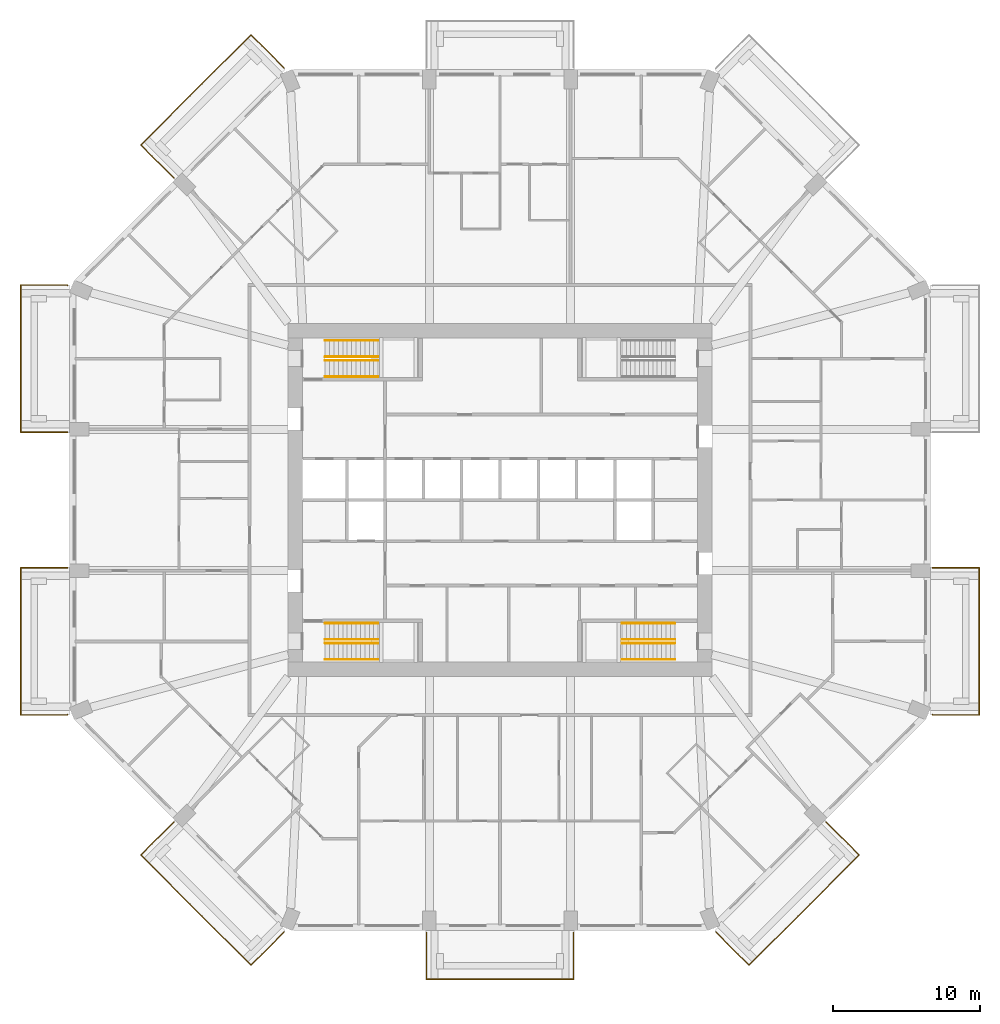
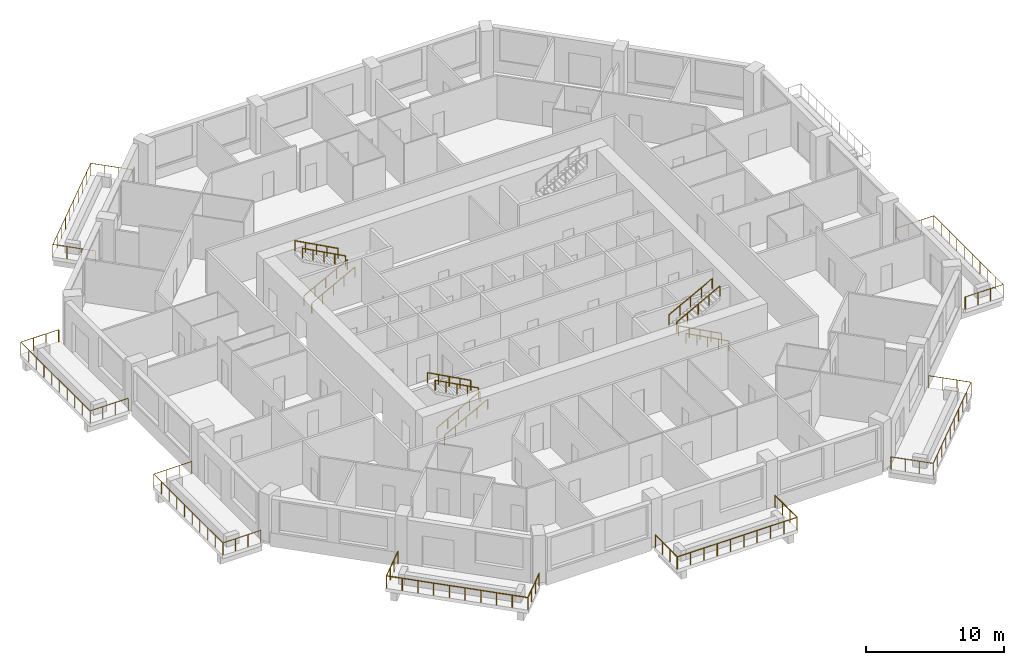
# One storey, part 12 of 13: 19 railings.
"""IFC4 building model written with IfcOpenShell, lengths in metres."""

from ifc_helpers import new_model, si_unit, direction, frame, origin, origin_2d, place, context, subcontext, project, spatial, circle, extrude, material, constituent, constituent_set, type_object, element, save


model = new_model("IFC4")

# Units and contexts
model_context = context("Model", 3, precision=1e-05, world=origin(), true_north=direction((0.0, 1.0)))
body_context = subcontext(model_context, "Body", "Model", "MODEL_VIEW")
ifc_project = project(units=[si_unit("LENGTHUNIT", "METRE"), si_unit("AREAUNIT", "SQUARE_METRE"), si_unit("VOLUMEUNIT", "CUBIC_METRE"), si_unit("PLANEANGLEUNIT", "RADIAN"), si_unit("MASSUNIT", "GRAM", prefix="KILO")], contexts=[model_context])

# Site, building, storey
site_placement = place(None, origin())
site = spatial("IfcSite", under=ifc_project, at=site_placement, CompositionType="ELEMENT")
building_placement = place(site_placement, origin())
building = spatial("IfcBuilding", under=site, at=building_placement, Name="Msitu Wima Residences", CompositionType="ELEMENT")
storey_placement = place(building_placement, frame((0.0, 0.0, 96.89990234375)))
storey = spatial("IfcBuildingStorey", under=building, at=storey_placement, Name="L22", CompositionType="ELEMENT", Elevation=96.89990234375)

# Railings
ifc_material_1 = material(Name="Steel S355", Category="steel")
ifc_constituent_1 = constituent(ifc_material_1, Name="Steel S355")
ifc_material_2 = material(Name="Weathering patina")
ifc_constituent_2 = constituent(ifc_material_2, Name="Weathering patina")
ifc_constituent_set_1 = constituent_set(constituents=[ifc_constituent_1, ifc_constituent_2], Name="Steel S355")
railing_type_1 = type_object("IfcRailingType", Name="Balcony guard GR1100", PredefinedType="GUARDRAIL", material=ifc_constituent_set_1)
railing_1_placement = place(storey_placement, frame((29.3798828125, -4.60009765625, 0.0)))
element("IfcRailing", 1, at=railing_1_placement, inside=storey, type_object=railing_type_1, Name="Balcony guard E0 L22", PredefinedType="GUARDRAIL", context=body_context, shape_type="SweptSolid", body=[
    extrude(circle(Radius=0.02392578125, at=origin_2d()), frame((0.0, 0.0, 1.076171875), z_axis=(1.0, 0.0, 0.0), x_axis=(0.0, 1.0, 0.0)), (0.0, 0.0, 1.0), 3.170166015625),
    extrude(circle(Radius=0.02392578125, at=origin_2d()), frame((3.170166015625, 0.0, 1.076171875), z_axis=(0.0, -1.0, 0.0), x_axis=(1.0, 0.0, 0.0)), (0.0, 0.0, 1.0), 10.0),
    extrude(circle(Radius=0.02392578125, at=origin_2d()), frame((3.170166015625, -10.0, 1.076171875), z_axis=(-1.0, 0.0, 0.0), x_axis=(0.0, -1.0, 0.0)), (0.0, 0.0, 1.0), 3.136474609375),
    extrude(circle(Radius=0.02392578125, at=origin_2d()), frame((0.03369140625, -10.0, 1.076171875), z_axis=(-0.92426142649, 0.38176015442, 0.0), x_axis=(-0.38176015442, -0.92426142649, 0.0)), (0.0, 0.0, 1.0), 0.036376953125),
    extrude(circle(Radius=0.02099609375, at=origin_2d()), origin(), (0.0, 0.0, 1.0), 1.052001953125),
    extrude(circle(Radius=0.02099609375, at=origin_2d()), frame((1.056640625, 0.0, 0.0)), (0.0, 0.0, 1.0), 1.052001953125),
    extrude(circle(Radius=0.02099609375, at=origin_2d()), frame((2.113525390625, 0.0, 0.0)), (0.0, 0.0, 1.0), 1.052001953125),
    extrude(circle(Radius=0.02099609375, at=origin_2d()), frame((3.170166015625, 0.0, 0.0)), (0.0, 0.0, 1.0), 1.052001953125),
    extrude(circle(Radius=0.02099609375, at=origin_2d()), frame((3.170166015625, -1.111083984375, 0.0)), (0.0, 0.0, 1.0), 1.052001953125),
    extrude(circle(Radius=0.02099609375, at=origin_2d()), frame((3.170166015625, -2.22216796875, 0.0)), (0.0, 0.0, 1.0), 1.052001953125),
    extrude(circle(Radius=0.02099609375, at=origin_2d()), frame((3.170166015625, -3.333251953125, 0.0)), (0.0, 0.0, 1.0), 1.052001953125),
    extrude(circle(Radius=0.02099609375, at=origin_2d()), frame((3.170166015625, -4.4443359375, 0.0)), (0.0, 0.0, 1.0), 1.052001953125),
    extrude(circle(Radius=0.02099609375, at=origin_2d()), frame((3.170166015625, -5.5556640625, 0.0)), (0.0, 0.0, 1.0), 1.052001953125),
    extrude(circle(Radius=0.02099609375, at=origin_2d()), frame((3.170166015625, -6.666748046875, 0.0)), (0.0, 0.0, 1.0), 1.052001953125),
    extrude(circle(Radius=0.02099609375, at=origin_2d()), frame((3.170166015625, -7.77783203125, 0.0)), (0.0, 0.0, 1.0), 1.052001953125),
    extrude(circle(Radius=0.02099609375, at=origin_2d()), frame((3.170166015625, -8.888916015625, 0.0)), (0.0, 0.0, 1.0), 1.052001953125),
    extrude(circle(Radius=0.02099609375, at=origin_2d()), frame((3.170166015625, -10.0, 0.0)), (0.0, 0.0, 1.0), 1.052001953125),
    extrude(circle(Radius=0.02099609375, at=origin_2d()), frame((2.124755859375, -10.0, 0.0)), (0.0, 0.0, 1.0), 1.052001953125),
    extrude(circle(Radius=0.02099609375, at=origin_2d()), frame((1.0791015625, -10.0, 0.0)), (0.0, 0.0, 1.0), 1.052001953125),
    extrude(circle(Radius=0.02099609375, at=origin_2d()), frame((0.03369140625, -10.0, 0.0)), (0.0, 0.0, 1.0), 1.052001953125),
    extrude(circle(Radius=0.02099609375, at=origin_2d()), frame((0.0, -9.986083984375, 0.0)), (0.0, 0.0, 1.0), 1.052001953125),
])
railing_2_placement = place(storey_placement, frame((-22.151611328125, 21.86865234375, 0.0)))
element("IfcRailing", 2, at=railing_2_placement, inside=storey, type_object=railing_type_1, Name="Balcony guard NW0 L22", PredefinedType="GUARDRAIL", context=body_context, shape_type="SweptSolid", body=[
    extrude(circle(Radius=0.02392578125, at=origin_2d()), frame((0.0, 0.0, 1.076171875), z_axis=(-0.707068272989, 0.707145287287, 0.0), x_axis=(-0.707145287287, -0.707068272989, 0.0)), (0.0, 0.0, 1.0), 3.170166015625),
    extrude(circle(Radius=0.02392578125, at=origin_2d()), frame((-2.241455078125, 2.24169921875, 1.076171875), z_axis=(0.707118316465, 0.70709524572, 0.0), x_axis=(-0.70709524572, 0.707118316465, 0.0)), (0.0, 0.0, 1.0), 10.582275390625),
    extrude(circle(Radius=0.02392578125, at=origin_2d()), frame((5.241455078125, 9.724365234375, 1.076171875), z_axis=(0.707106781187, -0.707106781187, 0.0), x_axis=(0.707106781187, 0.707106781187, 0.0)), (0.0, 0.0, 1.0), 3.136474609375),
    extrude(circle(Radius=0.02392578125, at=origin_2d()), frame((7.459228515625, 7.506591796875, 1.076171875), z_axis=(0.384136806859, -0.923276184907, 0.0), x_axis=(0.923276184907, 0.384136806859, 0.0)), (0.0, 0.0, 1.0), 0.0361328125),
    extrude(circle(Radius=0.02099609375, at=origin_2d()), origin(), (0.0, 0.0, 1.0), 1.052001953125),
    extrude(circle(Radius=0.02099609375, at=origin_2d()), frame((-0.7470703125, 0.747314453125, 0.0)), (0.0, 0.0, 1.0), 1.052001953125),
    extrude(circle(Radius=0.02099609375, at=origin_2d()), frame((-1.494384765625, 1.494384765625, 0.0)), (0.0, 0.0, 1.0), 1.052001953125),
    extrude(circle(Radius=0.02099609375, at=origin_2d()), frame((-2.241455078125, 2.24169921875, 0.0)), (0.0, 0.0, 1.0), 1.052001953125),
    extrude(circle(Radius=0.02099609375, at=origin_2d()), frame((-1.409912109375, 3.072998046875, 0.0)), (0.0, 0.0, 1.0), 1.052001953125),
    extrude(circle(Radius=0.02099609375, at=origin_2d()), frame((-0.57861328125, 3.904541015625, 0.0)), (0.0, 0.0, 1.0), 1.052001953125),
    extrude(circle(Radius=0.02099609375, at=origin_2d()), frame((0.2529296875, 4.73583984375, 0.0)), (0.0, 0.0, 1.0), 1.052001953125),
    extrude(circle(Radius=0.02099609375, at=origin_2d()), frame((1.084228515625, 5.5673828125, 0.0)), (0.0, 0.0, 1.0), 1.052001953125),
    extrude(circle(Radius=0.02099609375, at=origin_2d()), frame((1.915771484375, 6.398681640625, 0.0)), (0.0, 0.0, 1.0), 1.052001953125),
    extrude(circle(Radius=0.02099609375, at=origin_2d()), frame((2.7470703125, 7.230224609375, 0.0)), (0.0, 0.0, 1.0), 1.052001953125),
    extrude(circle(Radius=0.02099609375, at=origin_2d()), frame((3.57861328125, 8.0615234375, 0.0)), (0.0, 0.0, 1.0), 1.052001953125),
    extrude(circle(Radius=0.02099609375, at=origin_2d()), frame((4.409912109375, 8.89306640625, 0.0)), (0.0, 0.0, 1.0), 1.052001953125),
    extrude(circle(Radius=0.02099609375, at=origin_2d()), frame((5.241455078125, 9.724365234375, 0.0)), (0.0, 0.0, 1.0), 1.052001953125),
    extrude(circle(Radius=0.02099609375, at=origin_2d()), frame((5.980712890625, 8.985107421875, 0.0)), (0.0, 0.0, 1.0), 1.052001953125),
    extrude(circle(Radius=0.02099609375, at=origin_2d()), frame((6.719970703125, 8.245849609375, 0.0)), (0.0, 0.0, 1.0), 1.052001953125),
    extrude(circle(Radius=0.02099609375, at=origin_2d()), frame((7.459228515625, 7.506591796875, 0.0)), (0.0, 0.0, 1.0), 1.052001953125),
    extrude(circle(Radius=0.02099609375, at=origin_2d()), frame((7.47314453125, 7.47314453125, 0.0)), (0.0, 0.0, 1.0), 1.052001953125),
])
railing_3_placement = place(storey_placement, frame((-29.3798828125, 4.60009765625, 0.0)))
element("IfcRailing", 3, at=railing_3_placement, inside=storey, type_object=railing_type_1, Name="Balcony guard W0 L22", PredefinedType="GUARDRAIL", context=body_context, shape_type="SweptSolid", body=[
    extrude(circle(Radius=0.02392578125, at=origin_2d()), frame((0.0, 0.0, 1.076171875), z_axis=(-1.0, 0.0, 0.0), x_axis=(0.0, -1.0, 0.0)), (0.0, 0.0, 1.0), 3.170166015625),
    extrude(circle(Radius=0.02392578125, at=origin_2d()), frame((-3.170166015625, 0.0, 1.076171875), z_axis=(0.0, 1.0, 0.0), x_axis=(-1.0, 0.0, 0.0)), (0.0, 0.0, 1.0), 10.0),
    extrude(circle(Radius=0.02392578125, at=origin_2d()), frame((-3.170166015625, 10.0, 1.076171875), z_axis=(1.0, 0.0, 0.0), x_axis=(0.0, 1.0, 0.0)), (0.0, 0.0, 1.0), 3.136474609375),
    extrude(circle(Radius=0.02392578125, at=origin_2d()), frame((-0.03369140625, 10.0, 1.076171875), z_axis=(0.92426142649, -0.38176015442, 0.0), x_axis=(0.38176015442, 0.92426142649, 0.0)), (0.0, 0.0, 1.0), 0.036376953125),
    extrude(circle(Radius=0.02099609375, at=origin_2d()), origin(), (0.0, 0.0, 1.0), 1.052001953125),
    extrude(circle(Radius=0.02099609375, at=origin_2d()), frame((-1.056640625, 0.0, 0.0)), (0.0, 0.0, 1.0), 1.052001953125),
    extrude(circle(Radius=0.02099609375, at=origin_2d()), frame((-2.113525390625, 0.0, 0.0)), (0.0, 0.0, 1.0), 1.052001953125),
    extrude(circle(Radius=0.02099609375, at=origin_2d()), frame((-3.170166015625, 0.0, 0.0)), (0.0, 0.0, 1.0), 1.052001953125),
    extrude(circle(Radius=0.02099609375, at=origin_2d()), frame((-3.170166015625, 1.111083984375, 0.0)), (0.0, 0.0, 1.0), 1.052001953125),
    extrude(circle(Radius=0.02099609375, at=origin_2d()), frame((-3.170166015625, 2.22216796875, 0.0)), (0.0, 0.0, 1.0), 1.052001953125),
    extrude(circle(Radius=0.02099609375, at=origin_2d()), frame((-3.170166015625, 3.333251953125, 0.0)), (0.0, 0.0, 1.0), 1.052001953125),
    extrude(circle(Radius=0.02099609375, at=origin_2d()), frame((-3.170166015625, 4.4443359375, 0.0)), (0.0, 0.0, 1.0), 1.052001953125),
    extrude(circle(Radius=0.02099609375, at=origin_2d()), frame((-3.170166015625, 5.5556640625, 0.0)), (0.0, 0.0, 1.0), 1.052001953125),
    extrude(circle(Radius=0.02099609375, at=origin_2d()), frame((-3.170166015625, 6.666748046875, 0.0)), (0.0, 0.0, 1.0), 1.052001953125),
    extrude(circle(Radius=0.02099609375, at=origin_2d()), frame((-3.170166015625, 7.77783203125, 0.0)), (0.0, 0.0, 1.0), 1.052001953125),
    extrude(circle(Radius=0.02099609375, at=origin_2d()), frame((-3.170166015625, 8.888916015625, 0.0)), (0.0, 0.0, 1.0), 1.052001953125),
    extrude(circle(Radius=0.02099609375, at=origin_2d()), frame((-3.170166015625, 10.0, 0.0)), (0.0, 0.0, 1.0), 1.052001953125),
    extrude(circle(Radius=0.02099609375, at=origin_2d()), frame((-2.124755859375, 10.0, 0.0)), (0.0, 0.0, 1.0), 1.052001953125),
    extrude(circle(Radius=0.02099609375, at=origin_2d()), frame((-1.0791015625, 10.0, 0.0)), (0.0, 0.0, 1.0), 1.052001953125),
    extrude(circle(Radius=0.02099609375, at=origin_2d()), frame((-0.03369140625, 10.0, 0.0)), (0.0, 0.0, 1.0), 1.052001953125),
    extrude(circle(Radius=0.02099609375, at=origin_2d()), frame((0.0, 9.986083984375, 0.0)), (0.0, 0.0, 1.0), 1.052001953125),
])
railing_4_placement = place(storey_placement, frame((-29.3798828125, -14.586181640625, 0.0)))
element("IfcRailing", 4, at=railing_4_placement, inside=storey, type_object=railing_type_1, Name="Balcony guard W2 L22", PredefinedType="GUARDRAIL", context=body_context, shape_type="SweptSolid", body=[
    extrude(circle(Radius=0.02392578125, at=origin_2d()), frame((0.0, 0.0, 1.076171875), z_axis=(-0.92426142649, -0.38176015442, 0.0), x_axis=(0.38176015442, -0.92426142649, 0.0)), (0.0, 0.0, 1.0), 0.036376953125),
    extrude(circle(Radius=0.02392578125, at=origin_2d()), frame((-0.03369140625, -0.013916015625, 1.076171875), z_axis=(-1.0, 0.0, 0.0), x_axis=(0.0, -1.0, 0.0)), (0.0, 0.0, 1.0), 3.136474609375),
    extrude(circle(Radius=0.02392578125, at=origin_2d()), frame((-3.170166015625, -0.013916015625, 1.076171875), z_axis=(0.0, 1.0, 0.0), x_axis=(-1.0, 0.0, 0.0)), (0.0, 0.0, 1.0), 10.0),
    extrude(circle(Radius=0.02392578125, at=origin_2d()), frame((-3.170166015625, 9.986083984375, 1.076171875), z_axis=(1.0, 0.0, 0.0), x_axis=(0.0, 1.0, 0.0)), (0.0, 0.0, 1.0), 3.170166015625),
    extrude(circle(Radius=0.02099609375, at=origin_2d()), origin(), (0.0, 0.0, 1.0), 1.052001953125),
    extrude(circle(Radius=0.02099609375, at=origin_2d()), frame((-0.03369140625, -0.013916015625, 0.0)), (0.0, 0.0, 1.0), 1.052001953125),
    extrude(circle(Radius=0.02099609375, at=origin_2d()), frame((-1.0791015625, -0.013916015625, 0.0)), (0.0, 0.0, 1.0), 1.052001953125),
    extrude(circle(Radius=0.02099609375, at=origin_2d()), frame((-2.124755859375, -0.013916015625, 0.0)), (0.0, 0.0, 1.0), 1.052001953125),
    extrude(circle(Radius=0.02099609375, at=origin_2d()), frame((-3.170166015625, -0.013916015625, 0.0)), (0.0, 0.0, 1.0), 1.052001953125),
    extrude(circle(Radius=0.02099609375, at=origin_2d()), frame((-3.170166015625, 1.09716796875, 0.0)), (0.0, 0.0, 1.0), 1.052001953125),
    extrude(circle(Radius=0.02099609375, at=origin_2d()), frame((-3.170166015625, 2.208251953125, 0.0)), (0.0, 0.0, 1.0), 1.052001953125),
    extrude(circle(Radius=0.02099609375, at=origin_2d()), frame((-3.170166015625, 3.3193359375, 0.0)), (0.0, 0.0, 1.0), 1.052001953125),
    extrude(circle(Radius=0.02099609375, at=origin_2d()), frame((-3.170166015625, 4.430419921875, 0.0)), (0.0, 0.0, 1.0), 1.052001953125),
    extrude(circle(Radius=0.02099609375, at=origin_2d()), frame((-3.170166015625, 5.541748046875, 0.0)), (0.0, 0.0, 1.0), 1.052001953125),
    extrude(circle(Radius=0.02099609375, at=origin_2d()), frame((-3.170166015625, 6.65283203125, 0.0)), (0.0, 0.0, 1.0), 1.052001953125),
    extrude(circle(Radius=0.02099609375, at=origin_2d()), frame((-3.170166015625, 7.763916015625, 0.0)), (0.0, 0.0, 1.0), 1.052001953125),
    extrude(circle(Radius=0.02099609375, at=origin_2d()), frame((-3.170166015625, 8.875, 0.0)), (0.0, 0.0, 1.0), 1.052001953125),
    extrude(circle(Radius=0.02099609375, at=origin_2d()), frame((-3.170166015625, 9.986083984375, 0.0)), (0.0, 0.0, 1.0), 1.052001953125),
    extrude(circle(Radius=0.02099609375, at=origin_2d()), frame((-2.113525390625, 9.986083984375, 0.0)), (0.0, 0.0, 1.0), 1.052001953125),
    extrude(circle(Radius=0.02099609375, at=origin_2d()), frame((-1.056640625, 9.986083984375, 0.0)), (0.0, 0.0, 1.0), 1.052001953125),
    extrude(circle(Radius=0.02099609375, at=origin_2d()), frame((0.0, 9.986083984375, 0.0)), (0.0, 0.0, 1.0), 1.052001953125),
])
railing_5_placement = place(storey_placement, frame((-14.678466796875, -29.341796875, 0.0)))
element("IfcRailing", 5, at=railing_5_placement, inside=storey, type_object=railing_type_1, Name="Balcony guard SW1 L22", PredefinedType="GUARDRAIL", context=body_context, shape_type="SweptSolid", body=[
    extrude(circle(Radius=0.02392578125, at=origin_2d()), frame((0.0, 0.0, 1.076171875), z_axis=(-0.384136806859, -0.923276184907, 0.0), x_axis=(0.923276184907, -0.384136806859, 0.0)), (0.0, 0.0, 1.0), 0.0361328125),
    extrude(circle(Radius=0.02392578125, at=origin_2d()), frame((-0.013916015625, -0.033447265625, 1.076171875), z_axis=(-0.707106781187, -0.707106781187, 0.0), x_axis=(0.707106781187, -0.707106781187, 0.0)), (0.0, 0.0, 1.0), 3.136474609375),
    extrude(circle(Radius=0.02392578125, at=origin_2d()), frame((-2.231689453125, -2.251220703125, 1.076171875), z_axis=(-0.707118316465, 0.70709524572, 0.0), x_axis=(-0.70709524572, -0.707118316465, 0.0)), (0.0, 0.0, 1.0), 10.582275390625),
    extrude(circle(Radius=0.02392578125, at=origin_2d()), frame((-9.714599609375, 5.2314453125, 1.076171875), z_axis=(0.707068272989, 0.707145287287, 0.0), x_axis=(-0.707145287287, 0.707068272989, 0.0)), (0.0, 0.0, 1.0), 3.170166015625),
    extrude(circle(Radius=0.02099609375, at=origin_2d()), origin(), (0.0, 0.0, 1.0), 1.052001953125),
    extrude(circle(Radius=0.02099609375, at=origin_2d()), frame((-0.013916015625, -0.033447265625, 0.0)), (0.0, 0.0, 1.0), 1.052001953125),
    extrude(circle(Radius=0.02099609375, at=origin_2d()), frame((-0.753173828125, -0.772705078125, 0.0)), (0.0, 0.0, 1.0), 1.052001953125),
    extrude(circle(Radius=0.02099609375, at=origin_2d()), frame((-1.492431640625, -1.511962890625, 0.0)), (0.0, 0.0, 1.0), 1.052001953125),
    extrude(circle(Radius=0.02099609375, at=origin_2d()), frame((-2.231689453125, -2.251220703125, 0.0)), (0.0, 0.0, 1.0), 1.052001953125),
    extrude(circle(Radius=0.02099609375, at=origin_2d()), frame((-3.063232421875, -1.419921875, 0.0)), (0.0, 0.0, 1.0), 1.052001953125),
    extrude(circle(Radius=0.02099609375, at=origin_2d()), frame((-3.89453125, -0.58837890625, 0.0)), (0.0, 0.0, 1.0), 1.052001953125),
    extrude(circle(Radius=0.02099609375, at=origin_2d()), frame((-4.72607421875, 0.242919921875, 0.0)), (0.0, 0.0, 1.0), 1.052001953125),
    extrude(circle(Radius=0.02099609375, at=origin_2d()), frame((-5.557373046875, 1.074462890625, 0.0)), (0.0, 0.0, 1.0), 1.052001953125),
    extrude(circle(Radius=0.02099609375, at=origin_2d()), frame((-6.388916015625, 1.90576171875, 0.0)), (0.0, 0.0, 1.0), 1.052001953125),
    extrude(circle(Radius=0.02099609375, at=origin_2d()), frame((-7.22021484375, 2.7373046875, 0.0)), (0.0, 0.0, 1.0), 1.052001953125),
    extrude(circle(Radius=0.02099609375, at=origin_2d()), frame((-8.0517578125, 3.568603515625, 0.0)), (0.0, 0.0, 1.0), 1.052001953125),
    extrude(circle(Radius=0.02099609375, at=origin_2d()), frame((-8.883056640625, 4.400146484375, 0.0)), (0.0, 0.0, 1.0), 1.052001953125),
    extrude(circle(Radius=0.02099609375, at=origin_2d()), frame((-9.714599609375, 5.2314453125, 0.0)), (0.0, 0.0, 1.0), 1.052001953125),
    extrude(circle(Radius=0.02099609375, at=origin_2d()), frame((-8.967529296875, 5.978759765625, 0.0)), (0.0, 0.0, 1.0), 1.052001953125),
    extrude(circle(Radius=0.02099609375, at=origin_2d()), frame((-8.22021484375, 6.725830078125, 0.0)), (0.0, 0.0, 1.0), 1.052001953125),
    extrude(circle(Radius=0.02099609375, at=origin_2d()), frame((-7.47314453125, 7.47314453125, 0.0)), (0.0, 0.0, 1.0), 1.052001953125),
])
railing_6_placement = place(storey_placement, frame((5.0, -29.3798828125, 0.0)))
element("IfcRailing", 6, at=railing_6_placement, inside=storey, type_object=railing_type_1, Name="Balcony guard S1 L22", PredefinedType="GUARDRAIL", context=body_context, shape_type="SweptSolid", body=[
    extrude(circle(Radius=0.02392578125, at=origin_2d()), frame((0.0, 0.0, 1.076171875), z_axis=(0.0, -1.0, 0.0), x_axis=(1.0, 0.0, 0.0)), (0.0, 0.0, 1.0), 3.170166015625),
    extrude(circle(Radius=0.02392578125, at=origin_2d()), frame((0.0, -3.170166015625, 1.076171875), z_axis=(-1.0, 0.0, 0.0), x_axis=(0.0, -1.0, 0.0)), (0.0, 0.0, 1.0), 10.0),
    extrude(circle(Radius=0.02392578125, at=origin_2d()), frame((-10.0, -3.170166015625, 1.076171875), z_axis=(0.0, 1.0, 0.0), x_axis=(-1.0, 0.0, 0.0)), (0.0, 0.0, 1.0), 3.170166015625),
    extrude(circle(Radius=0.02099609375, at=origin_2d()), origin(), (0.0, 0.0, 1.0), 1.052001953125),
    extrude(circle(Radius=0.02099609375, at=origin_2d()), frame((0.0, -1.056640625, 0.0)), (0.0, 0.0, 1.0), 1.052001953125),
    extrude(circle(Radius=0.02099609375, at=origin_2d()), frame((0.0, -2.113525390625, 0.0)), (0.0, 0.0, 1.0), 1.052001953125),
    extrude(circle(Radius=0.02099609375, at=origin_2d()), frame((0.0, -3.170166015625, 0.0)), (0.0, 0.0, 1.0), 1.052001953125),
    extrude(circle(Radius=0.02099609375, at=origin_2d()), frame((-1.111083984375, -3.170166015625, 0.0)), (0.0, 0.0, 1.0), 1.052001953125),
    extrude(circle(Radius=0.02099609375, at=origin_2d()), frame((-2.22216796875, -3.170166015625, 0.0)), (0.0, 0.0, 1.0), 1.052001953125),
    extrude(circle(Radius=0.02099609375, at=origin_2d()), frame((-3.333251953125, -3.170166015625, 0.0)), (0.0, 0.0, 1.0), 1.052001953125),
    extrude(circle(Radius=0.02099609375, at=origin_2d()), frame((-4.4443359375, -3.170166015625, 0.0)), (0.0, 0.0, 1.0), 1.052001953125),
    extrude(circle(Radius=0.02099609375, at=origin_2d()), frame((-5.5556640625, -3.170166015625, 0.0)), (0.0, 0.0, 1.0), 1.052001953125),
    extrude(circle(Radius=0.02099609375, at=origin_2d()), frame((-6.666748046875, -3.170166015625, 0.0)), (0.0, 0.0, 1.0), 1.052001953125),
    extrude(circle(Radius=0.02099609375, at=origin_2d()), frame((-7.77783203125, -3.170166015625, 0.0)), (0.0, 0.0, 1.0), 1.052001953125),
    extrude(circle(Radius=0.02099609375, at=origin_2d()), frame((-8.888916015625, -3.170166015625, 0.0)), (0.0, 0.0, 1.0), 1.052001953125),
    extrude(circle(Radius=0.02099609375, at=origin_2d()), frame((-10.0, -3.170166015625, 0.0)), (0.0, 0.0, 1.0), 1.052001953125),
    extrude(circle(Radius=0.02099609375, at=origin_2d()), frame((-10.0, -2.113525390625, 0.0)), (0.0, 0.0, 1.0), 1.052001953125),
    extrude(circle(Radius=0.02099609375, at=origin_2d()), frame((-10.0, -1.056640625, 0.0)), (0.0, 0.0, 1.0), 1.052001953125),
    extrude(circle(Radius=0.02099609375, at=origin_2d()), frame((-10.0, 0.0, 0.0)), (0.0, 0.0, 1.0), 1.052001953125),
])
railing_7_placement = place(storey_placement, frame((22.151611328125, -21.86865234375, 0.0)))
element("IfcRailing", 7, at=railing_7_placement, inside=storey, type_object=railing_type_1, Name="Balcony guard SE0 L22", PredefinedType="GUARDRAIL", context=body_context, shape_type="SweptSolid", body=[
    extrude(circle(Radius=0.02392578125, at=origin_2d()), frame((0.0, 0.0, 1.076171875), z_axis=(0.707068272989, -0.707145287287, 0.0), x_axis=(0.707145287287, 0.707068272989, 0.0)), (0.0, 0.0, 1.0), 3.170166015625),
    extrude(circle(Radius=0.02392578125, at=origin_2d()), frame((2.241455078125, -2.24169921875, 1.076171875), z_axis=(-0.707118316465, -0.70709524572, 0.0), x_axis=(0.70709524572, -0.707118316465, 0.0)), (0.0, 0.0, 1.0), 10.582275390625),
    extrude(circle(Radius=0.02392578125, at=origin_2d()), frame((-5.241455078125, -9.724365234375, 1.076171875), z_axis=(-0.707106781187, 0.707106781187, 0.0), x_axis=(-0.707106781187, -0.707106781187, 0.0)), (0.0, 0.0, 1.0), 3.136474609375),
    extrude(circle(Radius=0.02392578125, at=origin_2d()), frame((-7.459228515625, -7.506591796875, 1.076171875), z_axis=(-0.384136806859, 0.923276184907, 0.0), x_axis=(-0.923276184907, -0.384136806859, 0.0)), (0.0, 0.0, 1.0), 0.0361328125),
    extrude(circle(Radius=0.02099609375, at=origin_2d()), origin(), (0.0, 0.0, 1.0), 1.052001953125),
    extrude(circle(Radius=0.02099609375, at=origin_2d()), frame((0.7470703125, -0.747314453125, 0.0)), (0.0, 0.0, 1.0), 1.052001953125),
    extrude(circle(Radius=0.02099609375, at=origin_2d()), frame((1.494384765625, -1.494384765625, 0.0)), (0.0, 0.0, 1.0), 1.052001953125),
    extrude(circle(Radius=0.02099609375, at=origin_2d()), frame((2.241455078125, -2.24169921875, 0.0)), (0.0, 0.0, 1.0), 1.052001953125),
    extrude(circle(Radius=0.02099609375, at=origin_2d()), frame((1.409912109375, -3.072998046875, 0.0)), (0.0, 0.0, 1.0), 1.052001953125),
    extrude(circle(Radius=0.02099609375, at=origin_2d()), frame((0.57861328125, -3.904541015625, 0.0)), (0.0, 0.0, 1.0), 1.052001953125),
    extrude(circle(Radius=0.02099609375, at=origin_2d()), frame((-0.2529296875, -4.73583984375, 0.0)), (0.0, 0.0, 1.0), 1.052001953125),
    extrude(circle(Radius=0.02099609375, at=origin_2d()), frame((-1.084228515625, -5.5673828125, 0.0)), (0.0, 0.0, 1.0), 1.052001953125),
    extrude(circle(Radius=0.02099609375, at=origin_2d()), frame((-1.915771484375, -6.398681640625, 0.0)), (0.0, 0.0, 1.0), 1.052001953125),
    extrude(circle(Radius=0.02099609375, at=origin_2d()), frame((-2.7470703125, -7.230224609375, 0.0)), (0.0, 0.0, 1.0), 1.052001953125),
    extrude(circle(Radius=0.02099609375, at=origin_2d()), frame((-3.57861328125, -8.0615234375, 0.0)), (0.0, 0.0, 1.0), 1.052001953125),
    extrude(circle(Radius=0.02099609375, at=origin_2d()), frame((-4.409912109375, -8.89306640625, 0.0)), (0.0, 0.0, 1.0), 1.052001953125),
    extrude(circle(Radius=0.02099609375, at=origin_2d()), frame((-5.241455078125, -9.724365234375, 0.0)), (0.0, 0.0, 1.0), 1.052001953125),
    extrude(circle(Radius=0.02099609375, at=origin_2d()), frame((-5.980712890625, -8.985107421875, 0.0)), (0.0, 0.0, 1.0), 1.052001953125),
    extrude(circle(Radius=0.02099609375, at=origin_2d()), frame((-6.719970703125, -8.245849609375, 0.0)), (0.0, 0.0, 1.0), 1.052001953125),
    extrude(circle(Radius=0.02099609375, at=origin_2d()), frame((-7.459228515625, -7.506591796875, 0.0)), (0.0, 0.0, 1.0), 1.052001953125),
    extrude(circle(Radius=0.02099609375, at=origin_2d()), frame((-7.47314453125, -7.47314453125, 0.0)), (0.0, 0.0, 1.0), 1.052001953125),
])
ifc_constituent_3 = constituent(ifc_material_1, Name="Steel S355")
ifc_material_3 = material(Name="Black powder coating")
ifc_constituent_4 = constituent(ifc_material_3, Name="Black powder coating")
ifc_constituent_set_2 = constituent_set(constituents=[ifc_constituent_3, ifc_constituent_4], Name="Steel S355")
railing_type_2 = type_object("IfcRailingType", Name="Stair handrail HR1", PredefinedType="HANDRAIL", material=ifc_constituent_set_2)
for number, where, name in (
    (8, (-11.875, 8.375, 0.16162109375), "Stair 1 handrail"),
    (9, (-11.875, 9.47509765625, 0.16162109375), "Stair 1 handrail"),
):
    element("IfcRailing", number, at=place(storey_placement, frame(where)), inside=storey, type_object=railing_type_2, Name=name, PredefinedType="HANDRAIL", context=body_context, shape_type="SweptSolid", body=[
        extrude(circle(Radius=0.02392578125, at=origin_2d()), frame((0.0, 0.0, 0.8759765625), z_axis=(0.880474934443, 0.0, 0.474092701714), x_axis=(0.0, 1.0, 0.0)), (0.0, 0.0, 1.0), 4.0888671875),
        extrude(circle(Radius=0.02099609375, at=origin_2d()), origin(), (0.0, 0.0, 1.0), 0.851806640625),
        extrude(circle(Radius=0.02099609375, at=origin_2d()), frame((0.89990234375, 0.0, 0.484619140625)), (0.0, 0.0, 1.0), 0.851806640625),
        extrude(circle(Radius=0.02099609375, at=origin_2d()), frame((1.800048828125, 0.0, 0.96923828125)), (0.0, 0.0, 1.0), 0.851806640625),
        extrude(circle(Radius=0.02099609375, at=origin_2d()), frame((2.7001953125, 0.0, 1.453857421875)), (0.0, 0.0, 1.0), 0.851806640625),
        extrude(circle(Radius=0.02099609375, at=origin_2d()), frame((3.60009765625, 0.0, 1.9384765625)), (0.0, 0.0, 1.0), 0.851806640625),
    ])
for number, where, name in (
    (10, (-8.27490234375, 9.72509765625, 2.26171875), "Stair 1 handrail"),
    (11, (-8.27490234375, 10.824951171875, 2.26171875), "Stair 1 handrail"),
):
    element("IfcRailing", number, at=place(storey_placement, frame(where)), inside=storey, type_object=railing_type_2, Name=name, PredefinedType="HANDRAIL", context=body_context, shape_type="SweptSolid", body=[
        extrude(circle(Radius=0.02392578125, at=origin_2d()), frame((0.0, 0.0, 0.8759765625), z_axis=(-0.880474934443, 0.0, 0.474092701714), x_axis=(0.0, -1.0, 0.0)), (0.0, 0.0, 1.0), 4.0888671875),
        extrude(circle(Radius=0.02099609375, at=origin_2d()), origin(), (0.0, 0.0, 1.0), 0.851806640625),
        extrude(circle(Radius=0.02099609375, at=origin_2d()), frame((-0.89990234375, 0.0, 0.484619140625)), (0.0, 0.0, 1.0), 0.851806640625),
        extrude(circle(Radius=0.02099609375, at=origin_2d()), frame((-1.800048828125, 0.0, 0.96923828125)), (0.0, 0.0, 1.0), 0.851806640625),
        extrude(circle(Radius=0.02099609375, at=origin_2d()), frame((-2.7001953125, 0.0, 1.453857421875)), (0.0, 0.0, 1.0), 0.851806640625),
        extrude(circle(Radius=0.02099609375, at=origin_2d()), frame((-3.60009765625, 0.0, 1.9384765625)), (0.0, 0.0, 1.0), 0.851806640625),
    ])
for number, where, name in (
    (12, (-11.875, -10.824951171875, 0.16162109375), "Stair 2 handrail"),
    (13, (-11.875, -9.72509765625, 0.16162109375), "Stair 2 handrail"),
):
    element("IfcRailing", number, at=place(storey_placement, frame(where)), inside=storey, type_object=railing_type_2, Name=name, PredefinedType="HANDRAIL", context=body_context, shape_type="SweptSolid", body=[
        extrude(circle(Radius=0.02392578125, at=origin_2d()), frame((0.0, 0.0, 0.8759765625), z_axis=(0.880474934443, 0.0, 0.474092701714), x_axis=(0.0, 1.0, 0.0)), (0.0, 0.0, 1.0), 4.0888671875),
        extrude(circle(Radius=0.02099609375, at=origin_2d()), origin(), (0.0, 0.0, 1.0), 0.851806640625),
        extrude(circle(Radius=0.02099609375, at=origin_2d()), frame((0.89990234375, 0.0, 0.484619140625)), (0.0, 0.0, 1.0), 0.851806640625),
        extrude(circle(Radius=0.02099609375, at=origin_2d()), frame((1.800048828125, 0.0, 0.96923828125)), (0.0, 0.0, 1.0), 0.851806640625),
        extrude(circle(Radius=0.02099609375, at=origin_2d()), frame((2.7001953125, 0.0, 1.453857421875)), (0.0, 0.0, 1.0), 0.851806640625),
        extrude(circle(Radius=0.02099609375, at=origin_2d()), frame((3.60009765625, 0.0, 1.9384765625)), (0.0, 0.0, 1.0), 0.851806640625),
    ])
for number, where, name in (
    (14, (-8.27490234375, -9.47509765625, 2.26171875), "Stair 2 handrail"),
    (15, (-8.27490234375, -8.375, 2.26171875), "Stair 2 handrail"),
    (16, (11.875, -10.824951171875, 0.16162109375), "Stair 4 handrail"),
    (17, (11.875, -9.72509765625, 0.16162109375), "Stair 4 handrail"),
):
    element("IfcRailing", number, at=place(storey_placement, frame(where)), inside=storey, type_object=railing_type_2, Name=name, PredefinedType="HANDRAIL", context=body_context, shape_type="SweptSolid", body=[
        extrude(circle(Radius=0.02392578125, at=origin_2d()), frame((0.0, 0.0, 0.8759765625), z_axis=(-0.880474934443, 0.0, 0.474092701714), x_axis=(0.0, -1.0, 0.0)), (0.0, 0.0, 1.0), 4.0888671875),
        extrude(circle(Radius=0.02099609375, at=origin_2d()), origin(), (0.0, 0.0, 1.0), 0.851806640625),
        extrude(circle(Radius=0.02099609375, at=origin_2d()), frame((-0.89990234375, 0.0, 0.484619140625)), (0.0, 0.0, 1.0), 0.851806640625),
        extrude(circle(Radius=0.02099609375, at=origin_2d()), frame((-1.800048828125, 0.0, 0.96923828125)), (0.0, 0.0, 1.0), 0.851806640625),
        extrude(circle(Radius=0.02099609375, at=origin_2d()), frame((-2.7001953125, 0.0, 1.453857421875)), (0.0, 0.0, 1.0), 0.851806640625),
        extrude(circle(Radius=0.02099609375, at=origin_2d()), frame((-3.60009765625, 0.0, 1.9384765625)), (0.0, 0.0, 1.0), 0.851806640625),
    ])
for number, where, name in (
    (18, (8.27490234375, -9.47509765625, 2.26171875), "Stair 4 handrail"),
    (19, (8.27490234375, -8.375, 2.26171875), "Stair 4 handrail"),
):
    element("IfcRailing", number, at=place(storey_placement, frame(where)), inside=storey, type_object=railing_type_2, Name=name, PredefinedType="HANDRAIL", context=body_context, shape_type="SweptSolid", body=[
        extrude(circle(Radius=0.02392578125, at=origin_2d()), frame((0.0, 0.0, 0.8759765625), z_axis=(0.880474934443, 0.0, 0.474092701714), x_axis=(0.0, 1.0, 0.0)), (0.0, 0.0, 1.0), 4.0888671875),
        extrude(circle(Radius=0.02099609375, at=origin_2d()), origin(), (0.0, 0.0, 1.0), 0.851806640625),
        extrude(circle(Radius=0.02099609375, at=origin_2d()), frame((0.89990234375, 0.0, 0.484619140625)), (0.0, 0.0, 1.0), 0.851806640625),
        extrude(circle(Radius=0.02099609375, at=origin_2d()), frame((1.800048828125, 0.0, 0.96923828125)), (0.0, 0.0, 1.0), 0.851806640625),
        extrude(circle(Radius=0.02099609375, at=origin_2d()), frame((2.7001953125, 0.0, 1.453857421875)), (0.0, 0.0, 1.0), 0.851806640625),
        extrude(circle(Radius=0.02099609375, at=origin_2d()), frame((3.60009765625, 0.0, 1.9384765625)), (0.0, 0.0, 1.0), 0.851806640625),
    ])

save(model, "model.ifc")
